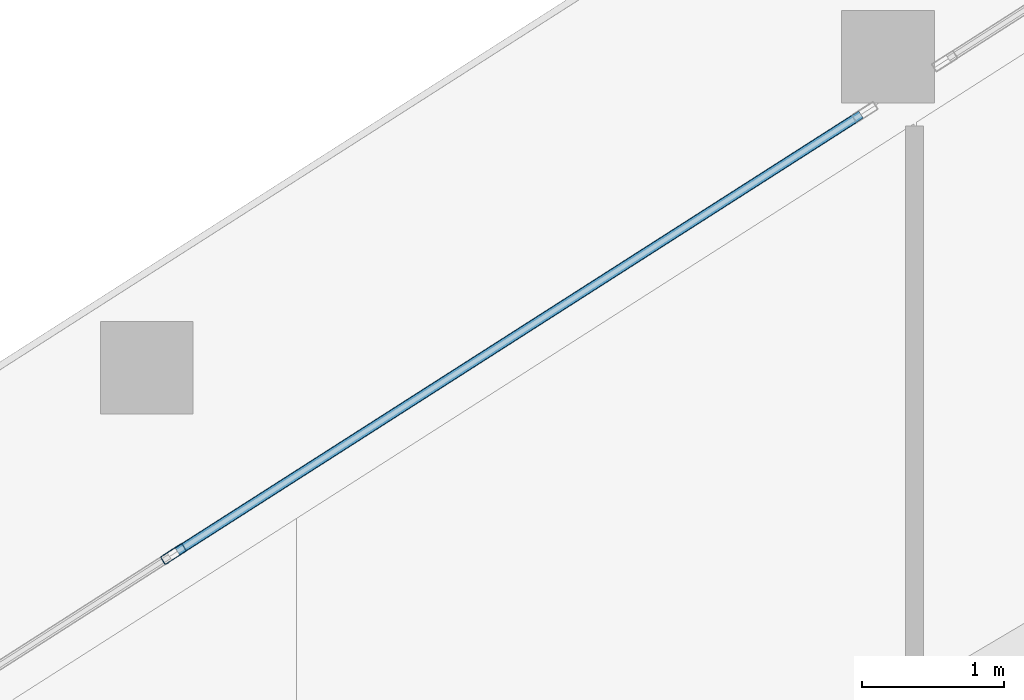
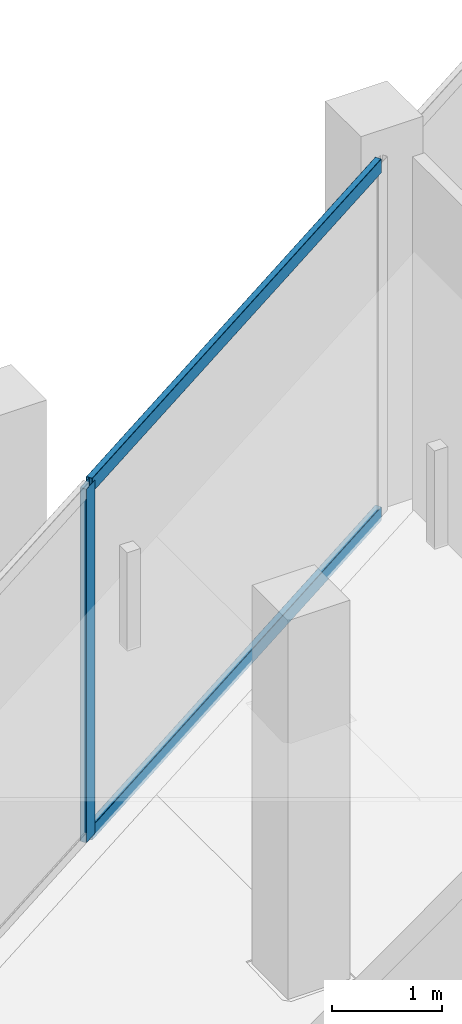
# One storey, part 14 of 44: 3 members, 1 element without a shape of its own.
"""IFC4 building model written with IfcOpenShell, lengths in metres."""

from ifc_helpers import new_model, si_unit, direction, frame, origin, origin_2d, place, context, subcontext, project, spatial, hollow_rectangle, extrude, material, layer, layer_set, material_profile, profile_set, type_object, element, aggregate, save


model = new_model("IFC4")

# Units and contexts
model_context = context("Model", 3, precision=1e-05, world=origin(), true_north=direction((0.0, 1.0)))
body_context = subcontext(model_context, "Body", "Model", "MODEL_VIEW")
ifc_project = project(units=[si_unit("LENGTHUNIT", "METRE"), si_unit("AREAUNIT", "SQUARE_METRE"), si_unit("VOLUMEUNIT", "CUBIC_METRE"), si_unit("PLANEANGLEUNIT", "RADIAN"), si_unit("MASSUNIT", "GRAM", prefix="KILO")], contexts=[model_context])

# Site, building, storey
site_placement = place(None, origin())
site = spatial("IfcSite", under=ifc_project, at=site_placement, CompositionType="ELEMENT")
building_placement = place(site_placement, origin())
building = spatial("IfcBuilding", under=site, at=building_placement, Name="Qorvath Tower", CompositionType="ELEMENT")
storey_placement = place(building_placement, frame((0.0, 0.0, 57.60009765625)))
storey = spatial("IfcBuildingStorey", under=building, at=storey_placement, Name="L12", CompositionType="ELEMENT", Elevation=57.60009765625)

# Curtain wall, members
ifc_material_1 = material(Name="Anodised aluminium and triple low-E glass", Category="aluminium")
ifc_layer = layer(ifc_material_1, 0.179931640625)
ifc_layer_set = layer_set([ifc_layer], Name="CW-SYS-2")
curtain_wall_type = type_object("IfcCurtainWallType", Name="CW-SYS-2", PredefinedType="NOTDEFINED", material=ifc_layer_set)
curtain_wall_placement = place(storey_placement, origin())
curtain_wall = element("IfcCurtainWall", 1, at=curtain_wall_placement, inside=storey, type_object=curtain_wall_type, Name="Curtain Wall CW-2 CW-T-L12-16.3", PredefinedType="NOTDEFINED")
ifc_material_2 = material(Name="Anodised aluminium 6063-T6", Category="aluminium")
ifc_material_profile_1 = material_profile(ifc_material_2, hollow_rectangle(XDim=0.06494140625, YDim=0.179931640625, WallThickness=0.00341796875, InnerFilletRadius=0.00341796875, OuterFilletRadius=0.007080078125, at=origin_2d()), Name="CWM 180x65")
ifc_profile_set_1 = profile_set([ifc_material_profile_1], Name="Anodised aluminium 6063-T6")
member_type_1 = type_object("IfcMemberType", Name="CWM-180", PredefinedType="MULLION", material=ifc_profile_set_1)
member_1_placement = place(storey_placement, frame((-45.350341796875, 13.465087890625, 0.0), z_axis=(0.0, 0.0, 1.0), x_axis=(0.53852960651, -0.842606588458, 0.0)))
member_1 = element("IfcMember", 2, at=member_1_placement, type_object=member_type_1, Name="CW-2 mullion 2", PredefinedType="MULLION", context=body_context, shape_type="SweptSolid", body=[
    extrude(hollow_rectangle(XDim=0.06494140625, YDim=0.179931640625, WallThickness=0.00341796875, InnerFilletRadius=0.00341796875, OuterFilletRadius=0.007080078125, at=origin_2d()), origin(), (0.0, 0.0, 1.0), 3.919921875),
])
ifc_material_3 = material(Name="Anodised aluminium 6063-T6", Category="aluminium")
ifc_material_profile_2 = material_profile(ifc_material_3, hollow_rectangle(XDim=0.06494140625, YDim=0.159912109375, WallThickness=0.00341796875, InnerFilletRadius=0.00341796875, OuterFilletRadius=0.007080078125, at=origin_2d()), Name="CWT 160x65")
ifc_profile_set_2 = profile_set([ifc_material_profile_2], Name="Anodised aluminium 6063-T6")
member_type_2 = type_object("IfcMemberType", Name="CWT-160", PredefinedType="USERDEFINED", material=ifc_profile_set_2)
member_2_placement = place(storey_placement, frame((-40.5224609375, 16.55078125, 0.032470703125), z_axis=(-0.842608218997, -0.538527055289, 0.0), x_axis=(0.538527055289, -0.842608218997, 0.0)))
member_2 = element("IfcMember", 3, at=member_2_placement, type_object=member_type_2, Name="CW-2 transom 1.1", ObjectType="TRANSOM", PredefinedType="USERDEFINED", context=body_context, shape_type="SweptSolid", body=[
    extrude(hollow_rectangle(XDim=0.06494140625, YDim=0.159912109375, WallThickness=0.00341796875, InnerFilletRadius=0.00341796875, OuterFilletRadius=0.007080078125, at=origin_2d()), origin(), (0.0, 0.0, 1.0), 5.697265625),
])
member_3_placement = place(storey_placement, frame((-40.5224609375, 16.55078125, 3.887451171875), z_axis=(-0.842608218997, -0.538527055289, 0.0), x_axis=(0.538527055289, -0.842608218997, 0.0)))
member_3 = element("IfcMember", 4, at=member_3_placement, type_object=member_type_2, Name="CW-2 transom 1.2", ObjectType="TRANSOM", PredefinedType="USERDEFINED", context=body_context, shape_type="SweptSolid", body=[
    extrude(hollow_rectangle(XDim=0.06494140625, YDim=0.159912109375, WallThickness=0.00341796875, InnerFilletRadius=0.00341796875, OuterFilletRadius=0.007080078125, at=origin_2d()), origin(), (0.0, 0.0, 1.0), 5.697265625),
])
aggregate(curtain_wall, [member_1, member_2, member_3])

save(model, "model.ifc")
